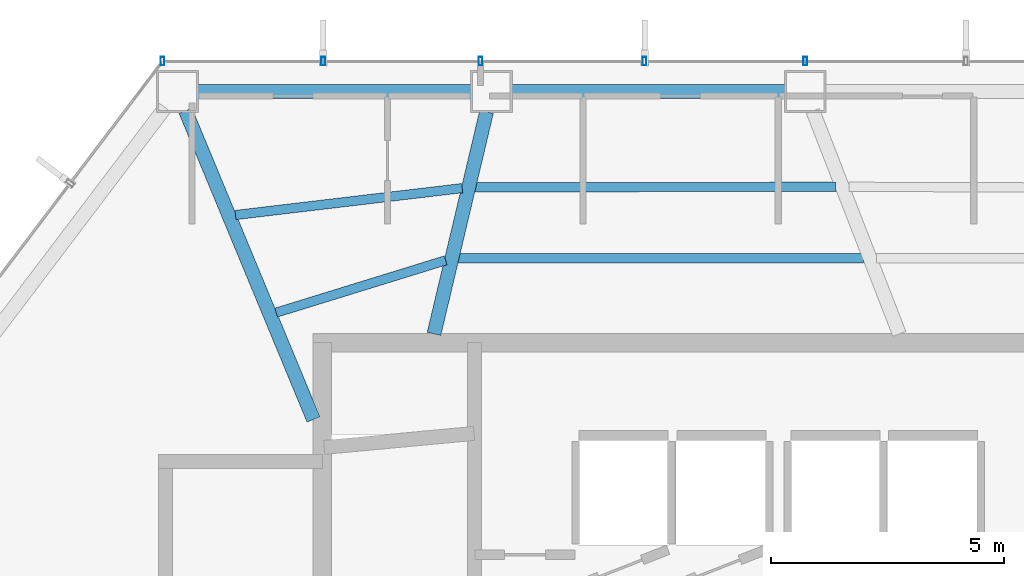
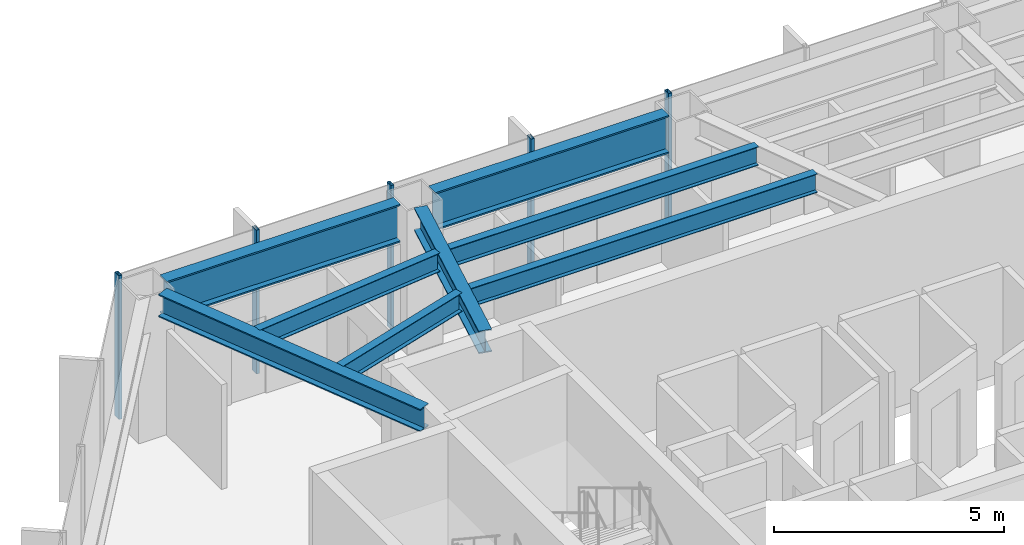
# One storey, part 11 of 24: 8 beams, 5 members, 1 element without a shape of its own.
"""IFC4 building model written with IfcOpenShell, lengths in metres."""

from ifc_helpers import new_model, si_unit, direction, frame, origin, origin_2d, place, context, subcontext, project, spatial, hollow_rectangle, i_section, extrude, material, layer, layer_set, material_profile, profile_set, type_object, element, aggregate, save


model = new_model("IFC4")

# Units and contexts
model_context = context("Model", 3, precision=1e-05, world=origin(), true_north=direction((0.0, 1.0)))
body_context = subcontext(model_context, "Body", "Model", "MODEL_VIEW")
ifc_project = project(units=[si_unit("LENGTHUNIT", "METRE"), si_unit("AREAUNIT", "SQUARE_METRE"), si_unit("VOLUMEUNIT", "CUBIC_METRE"), si_unit("PLANEANGLEUNIT", "RADIAN"), si_unit("MASSUNIT", "GRAM", prefix="KILO")], contexts=[model_context])

# Site, building, storey
site_placement = place(None, origin())
site = spatial("IfcSite", under=ifc_project, at=site_placement, CompositionType="ELEMENT")
building_placement = place(site_placement, origin())
building = spatial("IfcBuilding", under=site, at=building_placement, Name="Zarrinselat Tower", CompositionType="ELEMENT")
storey_placement = place(building_placement, frame((0.0, 0.0, 100.97998046875)))
storey = spatial("IfcBuildingStorey", under=building, at=storey_placement, Name="L24", CompositionType="ELEMENT", Elevation=100.97998046875)

# Beams
ifc_material_1 = material(Name="Steel S355J2", Category="steel")
ifc_material_profile_1 = material_profile(ifc_material_1, i_section(OverallWidth=0.300048828125, OverallDepth=0.60009765625, WebThickness=0.015380859375, FlangeThickness=0.030029296875, at=origin_2d()), Name="HEB 600")
ifc_profile_set_1 = profile_set([ifc_material_profile_1], Name="Steel S355J2")
beam_type_1 = type_object("IfcBeamType", Name="BM-HEB600", PredefinedType="BEAM", material=ifc_profile_set_1)
beam_1_placement = place(storey_placement, frame((31.0, 43.639892578125, 3.52001953125), z_axis=(0.23024671518, 0.973132288103, 0.0), x_axis=(-0.973132288103, 0.23024671518, 0.0)))
element("IfcBeam", 1, at=beam_1_placement, inside=storey, type_object=beam_type_1, Name="L24 Radial Primary Girder RG04", PredefinedType="BEAM", context=body_context, shape_type="SweptSolid", body=[
    extrude(i_section(OverallWidth=0.300048828125, OverallDepth=0.60009765625, WebThickness=0.015380859375, FlangeThickness=0.030029296875, at=origin_2d()), origin(), (0.0, 0.0, 1.0), 4.90185546875),
])
beam_2_placement = place(storey_placement, frame((25.65966796875, 48.4326171875, 3.52001953125), z_axis=(0.383033421719, -0.923734484496, 0.0), x_axis=(0.923734484496, 0.383033421719, 0.0)))
element("IfcBeam", 2, at=beam_2_placement, inside=storey, type_object=beam_type_1, Name="L24 Radial Primary Girder RG05", PredefinedType="BEAM", context=body_context, shape_type="SweptSolid", body=[
    extrude(i_section(OverallWidth=0.300048828125, OverallDepth=0.60009765625, WebThickness=0.015380859375, FlangeThickness=0.030029296875, at=origin_2d()), origin(), (0.0, 0.0, 1.0), 7.18017578125),
])
ifc_material_2 = material(Name="Steel S460M", Category="steel")
ifc_material_profile_2 = material_profile(ifc_material_2, i_section(OverallWidth=0.302001953125, OverallDepth=1.008056640625, WebThickness=0.02099609375, FlangeThickness=0.0400390625, at=origin_2d()), Name="HEM 1000")
ifc_profile_set_2 = profile_set([ifc_material_profile_2], Name="Steel S460M")
beam_type_2 = type_object("IfcBeamType", Name="BM-HEM1000", PredefinedType="BEAM", material=ifc_profile_set_2)
beam_3_placement = place(storey_placement, frame((32.6708984375, 48.85009765625, 3.31591796875), z_axis=(1.0, 0.0, 0.0), x_axis=(0.0, 1.0, 0.0)))
element("IfcBeam", 3, at=beam_3_placement, inside=storey, type_object=beam_type_2, Name="L24 Perimeter Spandrel Girder SP03", PredefinedType="BEAM", context=body_context, shape_type="SweptSolid", body=[
    extrude(i_section(OverallWidth=0.302001953125, OverallDepth=1.008056640625, WebThickness=0.02099609375, FlangeThickness=0.0400390625, at=origin_2d()), origin(), (0.0, 0.0, 1.0), 5.8701171875),
])
beam_4_placement = place(storey_placement, frame((25.924560546875, 48.85009765625, 3.31591796875), z_axis=(1.0, 0.0, 0.0), x_axis=(0.0, 1.0, 0.0)))
element("IfcBeam", 4, at=beam_4_placement, inside=storey, type_object=beam_type_2, Name="L24 Perimeter Spandrel Girder SP04", PredefinedType="BEAM", context=body_context, shape_type="SweptSolid", body=[
    extrude(i_section(OverallWidth=0.302001953125, OverallDepth=1.008056640625, WebThickness=0.02099609375, FlangeThickness=0.0400390625, at=origin_2d()), origin(), (0.0, 0.0, 1.0), 5.870361328125),
])
ifc_material_3 = material(Name="Steel S355J2", Category="steel")
ifc_material_profile_3 = material_profile(ifc_material_3, i_section(OverallWidth=0.199951171875, OverallDepth=0.5, WebThickness=0.01025390625, FlangeThickness=0.01611328125, at=origin_2d()), Name="IPE 500")
ifc_profile_set_3 = profile_set([ifc_material_profile_3], Name="Steel S355J2")
beam_type_3 = type_object("IfcBeamType", Name="BM-IPE500", PredefinedType="JOIST", material=ifc_profile_set_3)
beam_5_placement = place(storey_placement, frame((31.885009765625, 46.78857421875, 3.570068359375), z_axis=(0.999998856495, 0.001512285605, 0.0), x_axis=(-0.001512285605, 0.999998856495, 0.0)))
element("IfcBeam", 5, at=beam_5_placement, inside=storey, type_object=beam_type_3, Name="L24 Composite Floor Joist 8-1", PredefinedType="JOIST", context=body_context, shape_type="SweptSolid", body=[
    extrude(i_section(OverallWidth=0.199951171875, OverallDepth=0.5, WebThickness=0.01025390625, FlangeThickness=0.01611328125, at=origin_2d()), origin(), (0.0, 0.0, 1.0), 7.7490234375),
])
beam_6_placement = place(storey_placement, frame((31.523681640625, 45.261962890625, 3.570068359375), z_axis=(0.999999754185, 0.00070116376, 0.0), x_axis=(-0.00070116376, 0.999999754185, 0.0)))
element("IfcBeam", 6, at=beam_6_placement, inside=storey, type_object=beam_type_3, Name="L24 Composite Floor Joist 8-2", PredefinedType="JOIST", context=body_context, shape_type="SweptSolid", body=[
    extrude(i_section(OverallWidth=0.199951171875, OverallDepth=0.5, WebThickness=0.01025390625, FlangeThickness=0.01611328125, at=origin_2d()), origin(), (0.0, 0.0, 1.0), 8.704833984375),
])
beam_7_placement = place(storey_placement, frame((26.73388671875, 46.19384765625, 3.570068359375), z_axis=(0.993039083992, 0.117785303258, 0.0), x_axis=(-0.117785303258, 0.993039083992, 0.0)))
element("IfcBeam", 7, at=beam_7_placement, inside=storey, type_object=beam_type_3, Name="L24 Composite Floor Joist 9-1", PredefinedType="JOIST", context=body_context, shape_type="SweptSolid", body=[
    extrude(i_section(OverallWidth=0.199951171875, OverallDepth=0.5, WebThickness=0.01025390625, FlangeThickness=0.01611328125, at=origin_2d()), origin(), (0.0, 0.0, 1.0), 4.90625),
])
beam_8_placement = place(storey_placement, frame((27.608642578125, 44.09619140625, 3.570068359375), z_axis=(0.955494609773, 0.295008560376, 0.0), x_axis=(-0.295008560376, 0.955494609773, 0.0)))
element("IfcBeam", 8, at=beam_8_placement, inside=storey, type_object=beam_type_3, Name="L24 Composite Floor Joist 9-2", PredefinedType="JOIST", context=body_context, shape_type="SweptSolid", body=[
    extrude(i_section(OverallWidth=0.199951171875, OverallDepth=0.5, WebThickness=0.01025390625, FlangeThickness=0.01611328125, at=origin_2d()), origin(), (0.0, 0.0, 1.0), 3.81103515625),
])

# Curtain wall, members
ifc_material_4 = material(Name="Extruded Aluminium Alloy EN AW-6063 T6", Category="aluminium")
ifc_layer = layer(ifc_material_4, 0.18505859375)
ifc_layer_set = layer_set([ifc_layer], Name="Extruded Aluminium Alloy EN AW-6063 T6")
curtain_wall_type = type_object("IfcCurtainWallType", Name="CWS-OFF", PredefinedType="NOTDEFINED", material=ifc_layer_set)
curtain_wall_placement = place(storey_placement, origin())
curtain_wall = element("IfcCurtainWall", 9, at=curtain_wall_placement, inside=storey, type_object=curtain_wall_type, Name="L24 Unitised Curtain Wall CW-L24-E01", PredefinedType="NOTDEFINED")
ifc_material_5 = material(Name="Extruded Aluminium Alloy EN AW-6063 T6", Category="aluminium")
ifc_material_profile_4 = material_profile(ifc_material_5, hollow_rectangle(XDim=0.080078125, YDim=0.179931640625, WallThickness=0.0048828125, at=origin_2d()), Name="RHS 180x80x5")
ifc_profile_set_4 = profile_set([ifc_material_profile_4], Name="Extruded Aluminium Alloy EN AW-6063 T6")
member_type = type_object("IfcMemberType", Name="MEM-CW-MUL", PredefinedType="MULLION", material=ifc_profile_set_4)
member_1_placement = place(storey_placement, frame((38.97900390625, 49.5, 0.0), z_axis=(0.0, 0.0, 1.0), x_axis=(-1.0, 0.0, 0.0)))
member_1 = element("IfcMember", 10, at=member_1_placement, type_object=member_type, Name="CW-L24-E01 Mullion 4", PredefinedType="MULLION", context=body_context, shape_type="SweptSolid", body=[
    extrude(hollow_rectangle(XDim=0.080078125, YDim=0.179931640625, WallThickness=0.0048828125, at=origin_2d()), origin(), (0.0, 0.0, 1.0), 3.820068359375),
])
member_2_placement = place(storey_placement, frame((35.525146484375, 49.5, 0.0), z_axis=(0.0, 0.0, 1.0), x_axis=(-1.0, 0.0, 0.0)))
member_2 = element("IfcMember", 11, at=member_2_placement, type_object=member_type, Name="CW-L24-E01 Mullion 5", PredefinedType="MULLION", context=body_context, shape_type="SweptSolid", body=[
    extrude(hollow_rectangle(XDim=0.080078125, YDim=0.179931640625, WallThickness=0.0048828125, at=origin_2d()), origin(), (0.0, 0.0, 1.0), 3.820068359375),
])
member_3_placement = place(storey_placement, frame((32.0, 49.5, 0.0), z_axis=(0.0, 0.0, 1.0), x_axis=(-1.0, 0.0, 0.0)))
member_3 = element("IfcMember", 12, at=member_3_placement, type_object=member_type, Name="CW-L24-E01 Mullion 6", PredefinedType="MULLION", context=body_context, shape_type="SweptSolid", body=[
    extrude(hollow_rectangle(XDim=0.080078125, YDim=0.179931640625, WallThickness=0.0048828125, at=origin_2d()), origin(), (0.0, 0.0, 1.0), 3.820068359375),
])
member_4_placement = place(storey_placement, frame((28.617431640625, 49.5, 0.0), z_axis=(0.0, 0.0, 1.0), x_axis=(-1.0, 0.0, 0.0)))
member_4 = element("IfcMember", 13, at=member_4_placement, type_object=member_type, Name="CW-L24-E01 Mullion 7", PredefinedType="MULLION", context=body_context, shape_type="SweptSolid", body=[
    extrude(hollow_rectangle(XDim=0.080078125, YDim=0.179931640625, WallThickness=0.0048828125, at=origin_2d()), origin(), (0.0, 0.0, 1.0), 3.820068359375),
])
member_5_placement = place(storey_placement, frame((25.16357421875, 49.5, 0.0), z_axis=(0.0, 0.0, 1.0), x_axis=(-1.0, 0.0, 0.0)))
member_5 = element("IfcMember", 14, at=member_5_placement, type_object=member_type, Name="CW-L24-E01 Mullion 8", PredefinedType="MULLION", context=body_context, shape_type="SweptSolid", body=[
    extrude(hollow_rectangle(XDim=0.080078125, YDim=0.179931640625, WallThickness=0.0048828125, at=origin_2d()), origin(), (0.0, 0.0, 1.0), 3.820068359375),
])
aggregate(curtain_wall, [member_1, member_2, member_3, member_4, member_5])

save(model, "model.ifc")
